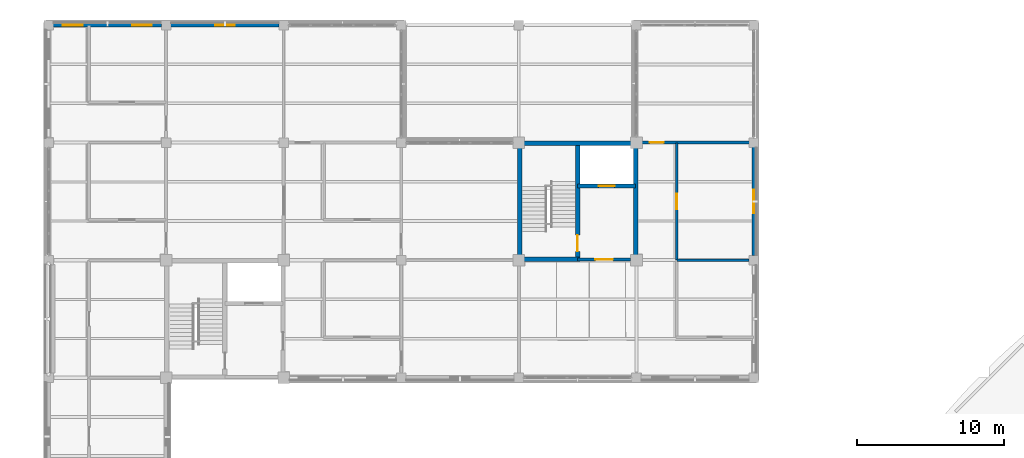
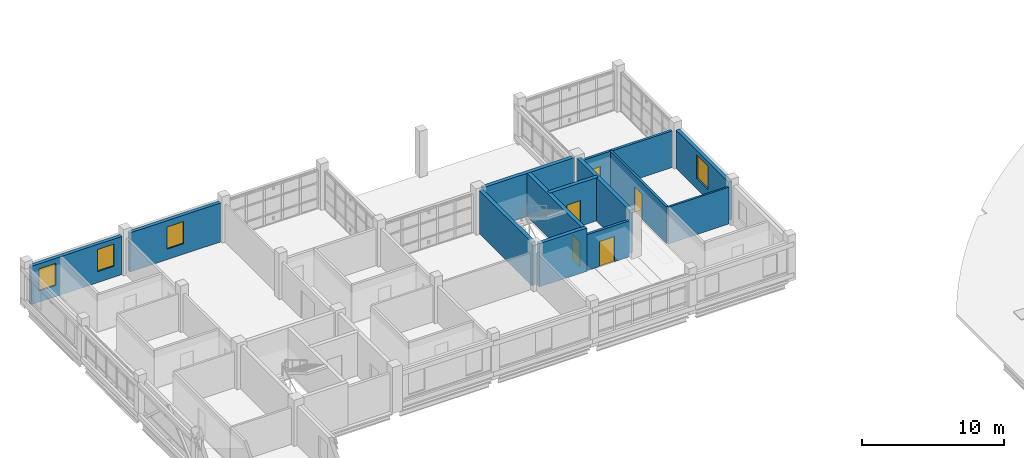
# One storey, part 96 of 126: 13 walls, 5 doors, 4 windows, 9 openings.
"""IFC4 building model written with IfcOpenShell, lengths in metres."""

from ifc_helpers import new_model, si_unit, derived_unit, direction, frame, frame_2d, origin, place, context, subcontext, project, spatial, rectangle, extrude, material, layer, layer_set, type_object, element, fill, save


model = new_model("IFC4")

# Units and contexts
model_context = context("Model", 3, precision=1e-05, world=origin(), true_north=direction((0.0, 1.0)))
body_context = subcontext(model_context, "Body", "Model", "MODEL_VIEW")
ifc_project = project(units=[si_unit("LENGTHUNIT", "METRE"), si_unit("AREAUNIT", "SQUARE_METRE"), si_unit("VOLUMEUNIT", "CUBIC_METRE"), si_unit("PLANEANGLEUNIT", "RADIAN"), si_unit("MASSUNIT", "GRAM", prefix="KILO"), derived_unit("THERMALTRANSMITTANCEUNIT", [(si_unit("MASSUNIT", "GRAM", prefix="KILO"), 1), (si_unit("TIMEUNIT", "SECOND"), -3), (si_unit("THERMODYNAMICTEMPERATUREUNIT", "KELVIN"), -1)])], contexts=[model_context])

# Site, building, storey
site_placement = place(None, origin())
site = spatial("IfcSite", under=ifc_project, at=site_placement, CompositionType="ELEMENT")
building_placement = place(site_placement, origin())
building = spatial("IfcBuilding", under=site, at=building_placement, Name="Veyamyaing Civic Hall", CompositionType="ELEMENT")
storey_placement = place(building_placement, frame((0.0, 0.0, 9.89990234375)))
storey = spatial("IfcBuildingStorey", under=building, at=storey_placement, Name="L02", CompositionType="ELEMENT", Elevation=9.89990234375)

# Wall, openings, windows
ifc_material_1 = material(Name="Precast concrete C40/50", Category="concrete")
ifc_layer_1 = layer(ifc_material_1, 0.280029296875, Name="Precast concrete C40/50")
ifc_layer_set_1 = layer_set([ifc_layer_1], Name="Precast concrete C40/50")
wall_type_1 = type_object("IfcWallType", Name="WT-04", PredefinedType="SOLIDWALL", material=ifc_layer_set_1)
wall_1_placement = place(storey_placement, frame((0.31005859375, 112.0, 0.0), z_axis=(0.0, 0.0, 1.0), x_axis=(1.0, 0.0, 0.0)))
wall_1 = element("IfcWall", 1, at=wall_1_placement, inside=storey, type_object=wall_type_1, Name="Exterior facade wall WT-04 L02 N 1.14", PredefinedType="SOLIDWALL", context=body_context, shape_type="SweptSolid", body=[
    extrude(rectangle(XDim=7.3798828125, YDim=0.280029296875, at=frame_2d((3.68994140625, 0.0))), origin(), (0.0, 0.0, 1.0), 3.280029296875),
])
opening_1_placement = place(wall_1_placement, frame((0.6533203125, 0.0, 0.949951171875)))
opening_1 = element("IfcOpeningElement", 2, at=opening_1_placement, cuts=wall_1, Name="Opening W-13", PredefinedType="OPENING", context=body_context, shape_type="SweptSolid", body=[
    extrude(rectangle(XDim=1.35009765625, YDim=1.89990234375, at=frame_2d((0.675048828125, 0.949951171875))), frame((0.0, 0.14990234375, 0.0), z_axis=(0.0, -1.0, 0.0), x_axis=(1.0, 0.0, 0.0)), (0.0, 0.0, 1.0), 0.300048828125),
])
opening_2_placement = place(wall_1_placement, frame((5.376708984375, 0.0, 0.949951171875)))
opening_2 = element("IfcOpeningElement", 3, at=opening_2_placement, cuts=wall_1, Name="Opening W-13", PredefinedType="OPENING", context=body_context, shape_type="SweptSolid", body=[
    extrude(rectangle(XDim=1.35009765625, YDim=1.89990234375, at=frame_2d((0.675048828125, 0.949951171875))), frame((0.0, 0.14990234375, 0.0), z_axis=(0.0, -1.0, 0.0), x_axis=(1.0, 0.0, 0.0)), (0.0, 0.0, 1.0), 0.300048828125),
])
ifc_material_2 = material(Name="Low-E insulated glass", Category="glass")
window_type_1 = type_object("IfcWindowType", Name="W-13", PartitioningType="SINGLE_PANEL", PredefinedType="WINDOW", material=ifc_material_2)
window_1_placement = place(opening_1_placement, origin())
window_1 = element("IfcWindow", 4, at=window_1_placement, inside=storey, type_object=window_type_1, Name="Facade window W-13 L02 N 1.14.1", OverallHeight=1.89990234375, OverallWidth=1.35009765625, PartitioningType="SINGLE_PANEL", PredefinedType="WINDOW", context=body_context, shape_type="SweptSolid", body=[
    extrude(rectangle(XDim=1.35009765625, YDim=1.89990234375, at=frame_2d((0.675048828125, 0.949951171875))), frame((0.0, 0.030029296875, 0.0), z_axis=(0.0, -1.0, 0.0), x_axis=(1.0, 0.0, 0.0)), (0.0, 0.0, 1.0), 0.06005859375),
])
fill(opening_1, window_1)
window_2_placement = place(opening_2_placement, origin())
window_2 = element("IfcWindow", 5, at=window_2_placement, inside=storey, type_object=window_type_1, Name="Facade window W-13 L02 N 1.14.2", OverallHeight=1.89990234375, OverallWidth=1.35009765625, PartitioningType="SINGLE_PANEL", PredefinedType="WINDOW", context=body_context, shape_type="SweptSolid", body=[
    extrude(rectangle(XDim=1.35009765625, YDim=1.89990234375, at=frame_2d((0.675048828125, 0.949951171875))), frame((0.0, 0.030029296875, 0.0), z_axis=(0.0, -1.0, 0.0), x_axis=(1.0, 0.0, 0.0)), (0.0, 0.0, 1.0), 0.06005859375),
])
fill(opening_2, window_2)

# Wall, opening, window
wall_2_placement = place(storey_placement, frame((8.31005859375, 112.0, 0.0), z_axis=(0.0, 0.0, 1.0), x_axis=(1.0, 0.0, 0.0)))
wall_2 = element("IfcWall", 6, at=wall_2_placement, inside=storey, type_object=wall_type_1, Name="Exterior facade wall WT-04 L02 N 2.14", PredefinedType="SOLIDWALL", context=body_context, shape_type="SweptSolid", body=[
    extrude(rectangle(XDim=7.3798828125, YDim=0.280029296875, at=frame_2d((3.68994140625, 0.0))), origin(), (0.0, 0.0, 1.0), 3.343994140625),
])
opening_3_placement = place(wall_2_placement, frame((3.014892578125, 0.0, 0.89990234375)))
opening_3 = element("IfcOpeningElement", 7, at=opening_3_placement, cuts=wall_2, Name="Opening W-13", PredefinedType="OPENING", context=body_context, shape_type="SweptSolid", body=[
    extrude(rectangle(XDim=1.35009765625, YDim=1.89990234375, at=frame_2d((0.675048828125, 0.949951171875))), frame((0.0, 0.14990234375, 0.0), z_axis=(0.0, -1.0, 0.0), x_axis=(1.0, 0.0, 0.0)), (0.0, 0.0, 1.0), 0.300048828125),
])
window_3_placement = place(opening_3_placement, origin())
window_3 = element("IfcWindow", 8, at=window_3_placement, inside=storey, type_object=window_type_1, Name="Facade window W-13 L02 N 2.14", OverallHeight=1.89990234375, OverallWidth=1.35009765625, PartitioningType="SINGLE_PANEL", PredefinedType="WINDOW", context=body_context, shape_type="SweptSolid", body=[
    extrude(rectangle(XDim=1.35009765625, YDim=1.89990234375, at=frame_2d((0.675048828125, 0.949951171875))), frame((0.0, 0.030029296875, 0.0), z_axis=(0.0, -1.0, 0.0), x_axis=(1.0, 0.0, 0.0)), (0.0, 0.0, 1.0), 0.06005859375),
])
fill(opening_3, window_3)

wall_3_placement = place(storey_placement, frame((48.0, 96.31005859375, 0.0), z_axis=(0.0, 0.0, 1.0), x_axis=(0.0, 1.0, 0.0)))
wall_3 = element("IfcWall", 9, at=wall_3_placement, inside=storey, type_object=wall_type_1, Name="Exterior facade wall WT-04 L02 E 6.13", PredefinedType="SOLIDWALL", context=body_context, shape_type="SweptSolid", body=[
    extrude(rectangle(XDim=7.3798828125, YDim=0.280029296875, at=frame_2d((3.68994140625, 0.0))), origin(), (0.0, 0.0, 1.0), 3.280029296875),
])
opening_4_placement = place(wall_3_placement, frame((2.889892578125, 0.0, 0.89990234375)))
opening_4 = element("IfcOpeningElement", 10, at=opening_4_placement, cuts=wall_3, Name="Opening W-11", PredefinedType="OPENING", context=body_context, shape_type="SweptSolid", body=[
    extrude(rectangle(XDim=1.60009765625, YDim=2.0, at=frame_2d((0.800048828125, 1.0))), frame((0.0, 0.14990234375, 0.0), z_axis=(0.0, -1.0, 0.0), x_axis=(1.0, 0.0, 0.0)), (0.0, 0.0, 1.0), 0.300048828125),
])
window_type_2 = type_object("IfcWindowType", Name="W-11", PartitioningType="SINGLE_PANEL", PredefinedType="WINDOW", material=ifc_material_2)
window_4_placement = place(opening_4_placement, origin())
window_4 = element("IfcWindow", 11, at=window_4_placement, inside=storey, type_object=window_type_2, Name="Facade window W-11 L02 E 6.13", OverallHeight=2.0, OverallWidth=1.60009765625, PartitioningType="SINGLE_PANEL", PredefinedType="WINDOW", context=body_context, shape_type="SweptSolid", body=[
    extrude(rectangle(XDim=1.60009765625, YDim=2.0, at=frame_2d((0.800048828125, 1.0))), frame((0.0, 0.030029296875, 0.0), z_axis=(0.0, -1.0, 0.0), x_axis=(1.0, 0.0, 0.0)), (0.0, 0.0, 1.0), 0.06005859375),
])
fill(opening_4, window_4)

# Walls
ifc_material_3 = material(Name="Concrete C40/50", Category="concrete")
ifc_layer_2 = layer(ifc_material_3, 0.300048828125, Name="Concrete C40/50")
ifc_layer_set_2 = layer_set([ifc_layer_2], Name="Concrete C40/50")
wall_type_2 = type_object("IfcWallType", Name="WT-05", PredefinedType="SHEAR", material=ifc_layer_set_2)
for number, where, z_axis, x_axis, name in (
    (12, (32.050048828125, 96.2900390625, 0.0), (0.0, 0.0, 1.0), (0.0, 1.0, 0.0), "Core shear wall WT-05 CORE-2 L02.W"),
    (13, (32.2900390625, 103.949951171875, 0.0), (0.0, 0.0, 1.0), (1.0, 0.0, 0.0), "Core shear wall WT-05 CORE-2 L02.N"),
    (14, (39.949951171875, 96.2900390625, 0.0), (0.0, 0.0, 1.0), (0.0, 1.0, 0.0), "Core shear wall WT-05 CORE-2 L02.E"),
):
    element("IfcWall", number, at=place(storey_placement, frame(where, z_axis=z_axis, x_axis=x_axis)), inside=storey, type_object=wall_type_2, Name=name, PredefinedType="SHEAR", context=body_context, shape_type="SweptSolid", body=[
        extrude(rectangle(XDim=7.419921875, YDim=0.300048828125, at=frame_2d((3.7099609375, 0.0))), origin(), (0.0, 0.0, 1.0), 3.705078125),
    ])
wall_4_placement = place(storey_placement, frame((32.2900390625, 96.050048828125, 0.0), z_axis=(0.0, 0.0, 1.0), x_axis=(1.0, 0.0, 0.0)))
element("IfcWall", 15, at=wall_4_placement, inside=storey, type_object=wall_type_2, Name="Core shear wall WT-05 CORE-2 L02.SS", PredefinedType="SHEAR", context=body_context, shape_type="SweptSolid", body=[
    extrude(rectangle(XDim=3.85986328125, YDim=0.300048828125, at=frame_2d((1.929931640625, 0.0))), origin(), (0.0, 0.0, 1.0), 3.705078125),
])

# Wall, opening, door
wall_5_placement = place(storey_placement, frame((36.0, 96.050048828125, 0.0), z_axis=(0.0, 0.0, 1.0), x_axis=(0.0, 1.0, 0.0)))
wall_5 = element("IfcWall", 16, at=wall_5_placement, inside=storey, type_object=wall_type_2, Name="Core shear wall WT-05 CORE-2 L02.MID", PredefinedType="SHEAR", context=body_context, shape_type="SweptSolid", body=[
    extrude(rectangle(XDim=7.89990234375, YDim=0.300048828125, at=frame_2d((3.949951171875, 0.0))), origin(), (0.0, 0.0, 1.0), 3.705078125),
])
opening_5_placement = place(wall_5_placement, frame((0.550048828125, 0.0, 0.0)))
opening_5 = element("IfcOpeningElement", 17, at=opening_5_placement, cuts=wall_5, Name="Opening D-03", PredefinedType="OPENING", context=body_context, shape_type="SweptSolid", body=[
    extrude(rectangle(XDim=1.10009765625, YDim=2.14990234375, at=frame_2d((0.550048828125, 1.074951171875))), frame((0.0, 0.159912109375, 0.0), z_axis=(0.0, -1.0, 0.0), x_axis=(1.0, 0.0, 0.0)), (0.0, 0.0, 1.0), 0.320068359375),
])
ifc_material_4 = material(Name="Galvanized steel S355J2", Category="steel")
door_type_1 = type_object("IfcDoorType", Name="D-03", OperationType="NOTDEFINED", PredefinedType="DOOR", material=ifc_material_4)
door_1_placement = place(opening_5_placement, origin())
door_1 = element("IfcDoor", 18, at=door_1_placement, inside=storey, type_object=door_type_1, Name="Exit stair fire door D-03 ST-02 L02", OperationType="SINGLE_SWING_LEFT", OverallHeight=2.14990234375, OverallWidth=1.10009765625, PredefinedType="DOOR", context=body_context, shape_type="SweptSolid", body=[
    extrude(rectangle(XDim=1.10009765625, YDim=2.14990234375, at=frame_2d((0.550048828125, 1.074951171875))), frame((0.0, 0.02490234375, 0.0), z_axis=(0.0, -1.0, 0.0), x_axis=(1.0, 0.0, 0.0)), (0.0, 0.0, 1.0), 0.050048828125),
])
fill(opening_5, door_1)

wall_6_placement = place(storey_placement, frame((36.0, 101.050048828125, 0.0), z_axis=(0.0, 0.0, 1.0), x_axis=(1.0, 0.0, 0.0)))
wall_6 = element("IfcWall", 19, at=wall_6_placement, inside=storey, type_object=wall_type_2, Name="Core shear wall WT-05 CORE-2 L02.LFT", PredefinedType="SHEAR", context=body_context, shape_type="SweptSolid", body=[
    extrude(rectangle(XDim=3.949951171875, YDim=0.300048828125, at=frame_2d((1.97509765625, 0.0))), origin(), (0.0, 0.0, 1.0), 3.705078125),
])
opening_6_placement = place(wall_6_placement, frame((1.425048828125, 0.0, 0.0)))
opening_6 = element("IfcOpeningElement", 20, at=opening_6_placement, cuts=wall_6, Name="Opening LD-01", PredefinedType="OPENING", context=body_context, shape_type="SweptSolid", body=[
    extrude(rectangle(XDim=1.10009765625, YDim=2.199951171875, at=frame_2d((0.550048828125, 1.10009765625))), frame((0.0, 0.159912109375, 0.0), z_axis=(0.0, -1.0, 0.0), x_axis=(1.0, 0.0, 0.0)), (0.0, 0.0, 1.0), 0.320068359375),
])
ifc_material_5 = material(Name="Anodised aluminium 6063-T6", Category="aluminium")
door_type_2 = type_object("IfcDoorType", Name="LD-01", OperationType="SLIDING_TO_LEFT", PredefinedType="DOOR", material=ifc_material_5)
door_2_placement = place(opening_6_placement, origin())
door_2 = element("IfcDoor", 21, at=door_2_placement, inside=storey, type_object=door_type_2, Name="Lift sliding landing door LD-01 PL-01 L02", OperationType="SLIDING_TO_LEFT", OverallHeight=2.199951171875, OverallWidth=1.10009765625, PredefinedType="DOOR", context=body_context, shape_type="SweptSolid", body=[
    extrude(rectangle(XDim=1.10009765625, YDim=2.199951171875, at=frame_2d((0.550048828125, 1.10009765625))), frame((0.0, 0.02490234375, 0.0), z_axis=(0.0, -1.0, 0.0), x_axis=(1.0, 0.0, 0.0)), (0.0, 0.0, 1.0), 0.050048828125),
])
fill(opening_6, door_2)

ifc_layer_3 = layer(ifc_material_3, 0.199951171875, Name="Concrete C40/50")
ifc_layer_set_3 = layer_set([ifc_layer_3], Name="Concrete C40/50")
wall_type_3 = type_object("IfcWallType", Name="WT-06", PredefinedType="PARTITIONING", material=ifc_layer_set_3)
wall_7_placement = place(storey_placement, frame((36.0, 96.050048828125, 0.0), z_axis=(0.0, 0.0, 1.0), x_axis=(1.0, 0.0, 0.0)))
wall_7 = element("IfcWall", 22, at=wall_7_placement, inside=storey, type_object=wall_type_3, Name="Firefighting lift lobby wall WT-06 CORE-2 L02", PredefinedType="PARTITIONING", context=body_context, shape_type="SweptSolid", body=[
    extrude(rectangle(XDim=3.610107421875, YDim=0.199951171875, at=frame_2d((1.80517578125, 0.0))), origin(), (0.0, 0.0, 1.0), 3.08203125),
])
opening_7_placement = place(wall_7_placement, frame((1.205078125, 0.0, 0.0)))
opening_7 = element("IfcOpeningElement", 23, at=opening_7_placement, cuts=wall_7, Name="Opening D-04", PredefinedType="OPENING", context=body_context, shape_type="SweptSolid", body=[
    extrude(rectangle(XDim=1.199951171875, YDim=2.14990234375, at=frame_2d((0.60009765625, 1.074951171875))), frame((0.0, 0.10986328125, 0.0), z_axis=(0.0, -1.0, 0.0), x_axis=(1.0, 0.0, 0.0)), (0.0, 0.0, 1.0), 0.219970703125),
])
door_type_3 = type_object("IfcDoorType", Name="D-04", OperationType="NOTDEFINED", PredefinedType="DOOR", material=ifc_material_4)
door_3_placement = place(opening_7_placement, frame((1.199951171875, 0.0, 0.0), z_axis=(0.0, 0.0, 1.0), x_axis=(-1.0, 0.0, 0.0)))
door_3 = element("IfcDoor", 24, at=door_3_placement, inside=storey, type_object=door_type_3, Name="Protected lobby fire door D-04 CORE-2 L02", OperationType="SINGLE_SWING_RIGHT", OverallHeight=2.14990234375, OverallWidth=1.199951171875, PredefinedType="DOOR", context=body_context, shape_type="SweptSolid", body=[
    extrude(rectangle(XDim=1.199951171875, YDim=2.14990234375, at=frame_2d((0.60009765625, 1.074951171875))), frame((0.0, 0.02490234375, 0.0), z_axis=(0.0, -1.0, 0.0), x_axis=(1.0, 0.0, 0.0)), (0.0, 0.0, 1.0), 0.050048828125),
])
fill(opening_7, door_3)

wall_8_placement = place(storey_placement, frame((40.389892578125, 104.0, 0.0), z_axis=(0.0, 0.0, 1.0), x_axis=(1.0, 0.0, 0.0)))
wall_8 = element("IfcWall", 25, at=wall_8_placement, inside=storey, type_object=wall_type_3, Name="Interior partition wall WT-06 L02.19", PredefinedType="PARTITIONING", context=body_context, shape_type="SweptSolid", body=[
    extrude(rectangle(XDim=7.295166015625, YDim=0.199951171875, at=frame_2d((3.6474609375, 0.0))), origin(), (0.0, 0.0, 1.0), 3.14111328125),
])
opening_8_placement = place(wall_8_placement, frame((0.52001953125, 0.0, 0.0)))
opening_8 = element("IfcOpeningElement", 26, at=opening_8_placement, cuts=wall_8, Name="Opening D-30", PredefinedType="OPENING", context=body_context, shape_type="SweptSolid", body=[
    extrude(rectangle(XDim=0.93994140625, YDim=2.1201171875, at=frame_2d((0.469970703125, 1.06005859375))), frame((0.0, 0.10986328125, 0.0), z_axis=(0.0, -1.0, 0.0), x_axis=(1.0, 0.0, 0.0)), (0.0, 0.0, 1.0), 0.219970703125),
])
ifc_material_6 = material(Name="Teak-veneered acoustic timber", Category="wood")
door_type_4 = type_object("IfcDoorType", Name="D-30", OperationType="NOTDEFINED", PredefinedType="DOOR", material=ifc_material_6)
door_4_placement = place(opening_8_placement, origin())
door_4 = element("IfcDoor", 27, at=door_4_placement, inside=storey, type_object=door_type_4, Name="Interior door D-30 L02.19", OperationType="SINGLE_SWING_LEFT", OverallHeight=2.1201171875, OverallWidth=0.93994140625, PredefinedType="DOOR", context=body_context, shape_type="SweptSolid", body=[
    extrude(rectangle(XDim=0.93994140625, YDim=2.1201171875, at=frame_2d((0.469970703125, 1.06005859375))), frame((0.0, 0.02490234375, 0.0), z_axis=(0.0, -1.0, 0.0), x_axis=(1.0, 0.0, 0.0)), (0.0, 0.0, 1.0), 0.050048828125),
])
fill(opening_8, door_4)

ifc_material_7 = material(Name="Gypsum board on acoustic steel stud", Category="steel")
ifc_layer_4 = layer(ifc_material_7, 0.175048828125, Name="Gypsum board on acoustic steel stud")
ifc_layer_set_4 = layer_set([ifc_layer_4], Name="Gypsum board on acoustic steel stud")
wall_type_4 = type_object("IfcWallType", Name="WT-07", PredefinedType="PARTITIONING", material=ifc_layer_set_4)
wall_9_placement = place(storey_placement, frame((42.75, 96.02001953125, 0.0), z_axis=(0.0, 0.0, 1.0), x_axis=(0.0, 1.0, 0.0)))
wall_9 = element("IfcWall", 28, at=wall_9_placement, inside=storey, type_object=wall_type_4, Name="Corridor gallery partition WT-07 L02.27.1", PredefinedType="PARTITIONING", context=body_context, shape_type="SweptSolid", body=[
    extrude(rectangle(XDim=7.9599609375, YDim=0.175048828125, at=frame_2d((3.97998046875, 0.0))), origin(), (0.0, 0.0, 1.0), 3.14111328125),
])
opening_9_placement = place(wall_9_placement, frame((3.455078125, 0.0, 0.0)))
opening_9 = element("IfcOpeningElement", 29, at=opening_9_placement, cuts=wall_9, Name="Opening D-12", PredefinedType="OPENING", context=body_context, shape_type="SweptSolid", body=[
    extrude(rectangle(XDim=1.050048828125, YDim=2.14990234375, at=frame_2d((0.52490234375, 1.074951171875))), frame((0.0, 0.097412109375, 0.0), z_axis=(0.0, -1.0, 0.0), x_axis=(1.0, 0.0, 0.0)), (0.0, 0.0, 1.0), 0.195068359375),
])
door_type_5 = type_object("IfcDoorType", Name="D-12", OperationType="NOTDEFINED", PredefinedType="DOOR", material=ifc_material_6)
door_5_placement = place(opening_9_placement, frame((1.050048828125, 0.0, 0.0), z_axis=(0.0, 0.0, 1.0), x_axis=(-1.0, 0.0, 0.0)))
door_5 = element("IfcDoor", 30, at=door_5_placement, inside=storey, type_object=door_type_5, Name="Gallery office door D-12 L02.27", OperationType="SINGLE_SWING_LEFT", OverallHeight=2.14990234375, OverallWidth=1.050048828125, PredefinedType="DOOR", context=body_context, shape_type="SweptSolid", body=[
    extrude(rectangle(XDim=1.050048828125, YDim=2.14990234375, at=frame_2d((0.52490234375, 1.074951171875))), frame((0.0, 0.02490234375, 0.0), z_axis=(0.0, -1.0, 0.0), x_axis=(1.0, 0.0, 0.0)), (0.0, 0.0, 1.0), 0.050048828125),
])
fill(opening_9, door_5)

# Wall
ifc_material_8 = material(Name="Gypsum board on steel stud", Category="steel")
ifc_layer_5 = layer(ifc_material_8, 0.14990234375, Name="Gypsum board on steel stud")
ifc_layer_set_5 = layer_set([ifc_layer_5], Name="Gypsum board on steel stud")
wall_type_5 = type_object("IfcWallType", Name="WT-08", PredefinedType="PARTITIONING", material=ifc_layer_set_5)
wall_10_placement = place(storey_placement, frame((42.75, 96.0, 0.0), z_axis=(0.0, 0.0, 1.0), x_axis=(1.0, 0.0, 0.0)))
element("IfcWall", 31, at=wall_10_placement, inside=storey, type_object=wall_type_5, Name="Gallery office end partition WT-08 L02.26.1", PredefinedType="PARTITIONING", context=body_context, shape_type="SweptSolid", body=[
    extrude(rectangle(XDim=4.9150390625, YDim=0.14990234375, at=frame_2d((2.45751953125, 0.0))), origin(), (0.0, 0.0, 1.0), 3.156982421875),
])

save(model, "model.ifc")
